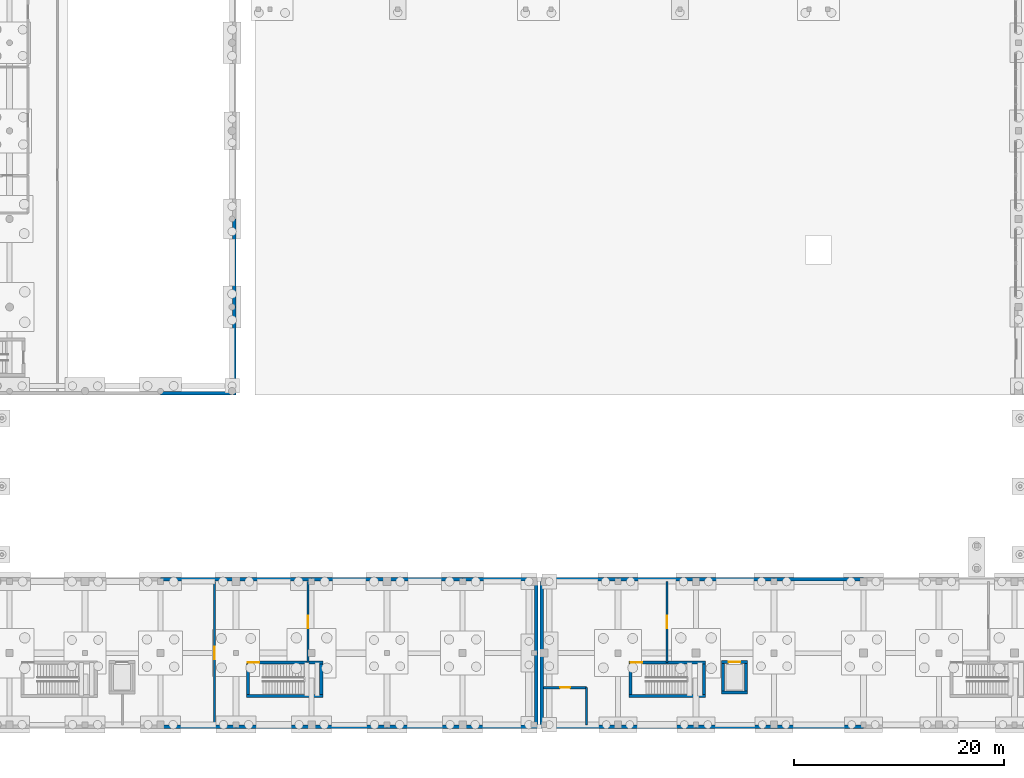
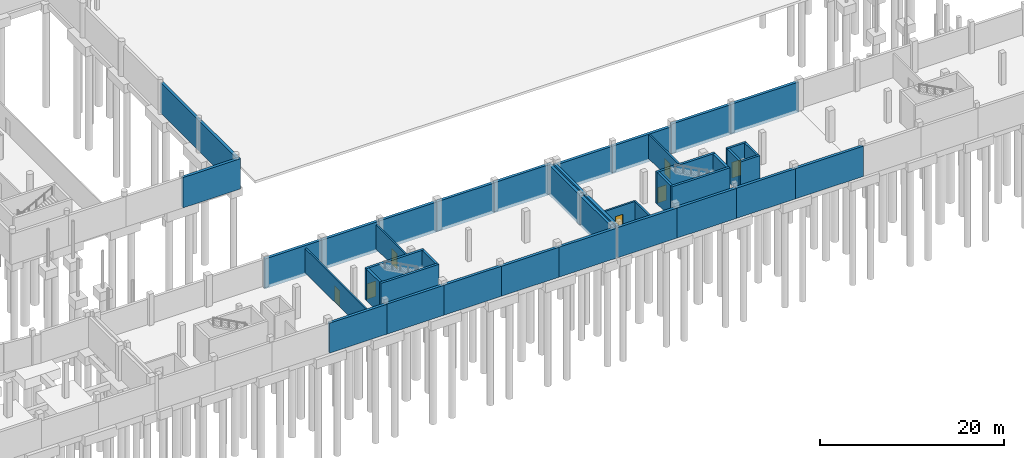
# One storey, part 27 of 41: 42 walls, 7 doors, 7 openings.
"""IFC4 building model written with IfcOpenShell, lengths in metres."""

import ifcopenshell
import ifcopenshell.guid

model = None  # the IFC model being written
_history = None  # IfcOwnerHistory: only IFC2X3 demands one
_inside = {}  # id of a spatial element -> (the spatial element, [elements in it])
_under = {}  # id of a project, library or spatial element -> (it, [spatial elements below it])
_declared = {}  # id of a project -> (the project, [libraries it declares])
_typed = {}  # id of a type object -> (the type object, [elements of that type])
_made_of = {}  # id of a material, layer set ... -> (it, [elements and type objects made of it])


def new_model(schema):
    """Start an empty IFC model of exactly this schema.

    Asked for "IFC4X3", IfcOpenShell would pick the latest addendum, in which some entities
    have other attributes; the version numbers below select the first issue.
    IFC2X3 requires an IfcOwnerHistory on every rooted entity: one is made here for all.
    """
    global model, _history
    if schema == "IFC4X3":
        model = ifcopenshell.file(schema_version=(4, 3, 0, 0))
    else:
        model = ifcopenshell.file(schema=schema)
    _inside.clear()
    _under.clear()
    _declared.clear()
    _typed.clear()
    _made_of.clear()
    _history = None
    if model.schema == "IFC2X3":
        org = make("IfcOrganization", Name="unknown")
        user = make(
            "IfcPersonAndOrganization",
            ThePerson=make("IfcPerson", FamilyName="unknown"),
            TheOrganization=org,
        )
        app = make(
            "IfcApplication",
            ApplicationDeveloper=org,
            Version="unknown",
            ApplicationFullName="unknown",
            ApplicationIdentifier="unknown",
        )
        _history = make(
            "IfcOwnerHistory",
            OwningUser=user,
            OwningApplication=app,
            ChangeAction="ADDED",
            CreationDate=0,
        )
    return model


def make(cls, **values):
    """One entity of the class cls with the attributes given. An attribute that is None is left unset."""
    return model.create_entity(
        cls, **{name: value for name, value in values.items() if value is not None}
    )


def rooted(cls, **values):
    """An entity with a GlobalId (a new one), such as an element, a storey or a relation."""
    return make(cls, GlobalId=ifcopenshell.guid.new(), OwnerHistory=_history, **values)


def si_unit(unit_type, name, prefix=None):
    """IfcSIUnit, for example si_unit("LENGTHUNIT", "METRE", prefix="MILLI")."""
    return make("IfcSIUnit", UnitType=unit_type, Prefix=prefix, Name=name)


def assignment(units):
    """IfcUnitAssignment: the units of a project."""
    return None if units is None else make("IfcUnitAssignment", Units=units)


def point(xyz):
    """IfcCartesianPoint."""
    return None if xyz is None else make("IfcCartesianPoint", Coordinates=xyz)


def direction(xyz):
    """IfcDirection."""
    return None if xyz is None else make("IfcDirection", DirectionRatios=xyz)


def frame(location, z_axis=None, x_axis=None):
    """IfcAxis2Placement3D, a coordinate frame: its origin and axes. An axis left out is left unset."""
    return make(
        "IfcAxis2Placement3D",
        Location=point(location),
        Axis=direction(z_axis),
        RefDirection=direction(x_axis),
    )


def frame_2d(location, x_axis=None):
    """IfcAxis2Placement2D, a coordinate frame in the plane: its origin and x axis."""
    return make(
        "IfcAxis2Placement2D", Location=point(location), RefDirection=direction(x_axis)
    )


def origin():
    """The frame at (0, 0, 0) with its axes left unset."""
    return frame((0.0, 0.0, 0.0))


def place(relative_to, where):
    """IfcLocalPlacement: puts the frame where relative to a parent placement (None: the world)."""
    return make(
        "IfcLocalPlacement", PlacementRelTo=relative_to, RelativePlacement=where
    )


def context(
    kind, dimensions, precision=None, world=None, true_north=None, identifier=None
):
    """IfcGeometricRepresentationContext, for example the 3D "Model" context."""
    return make(
        "IfcGeometricRepresentationContext",
        ContextIdentifier=identifier,
        ContextType=kind,
        CoordinateSpaceDimension=dimensions,
        Precision=precision,
        WorldCoordinateSystem=world,
        TrueNorth=true_north,
    )


def subcontext(parent, identifier, kind, view, scale=None):
    """IfcGeometricRepresentationSubContext, for example "Body" below "Model"."""
    return make(
        "IfcGeometricRepresentationSubContext",
        ContextIdentifier=identifier,
        ContextType=kind,
        ParentContext=parent,
        TargetScale=scale,
        TargetView=view,
    )


def project(units=None, contexts=None):
    """IfcProject with its units and contexts."""
    return rooted(
        "IfcProject",
        Name="project",
        RepresentationContexts=contexts,
        UnitsInContext=assignment(units),
    )


def spatial(cls, under=None, at=None, **own):
    """A site, building, storey or space (cls), placed at a placement, below another one or the project."""
    s = rooted(cls, ObjectPlacement=at, **own)
    if under is not None:
        _under.setdefault(under.id(), (under, []))[1].append(s)
    return s


def profile(cls, at=None, kind="AREA", **sizes):
    """A parametric profile (cls). Its sizes go by their IFC names, for example OverallWidth=200.0."""
    return make(cls, ProfileType=kind, Position=at, **sizes)


def rectangle(**sizes):
    """IfcRectangleProfileDef."""
    return profile("IfcRectangleProfileDef", **sizes)


def extrude(swept, where, along, depth):
    """IfcExtrudedAreaSolid: the profile swept, set in the frame where, extruded along a direction by depth."""
    return make(
        "IfcExtrudedAreaSolid",
        SweptArea=swept,
        Position=where,
        ExtrudedDirection=direction(along),
        Depth=depth,
    )


def shape(context_of_items, identifier, shape_type, items):
    """IfcShapeRepresentation: the items that make up one representation, for example the "Body"."""
    return make(
        "IfcShapeRepresentation",
        ContextOfItems=context_of_items,
        RepresentationIdentifier=identifier,
        RepresentationType=shape_type,
        Items=items,
    )


def material(Name=None, Category=None):
    """IfcMaterial."""
    return make("IfcMaterial", Name=Name, Category=Category)


def layer(
    of_material, thickness, ventilated=None, Name=None, Category=None, Priority=None
):
    """IfcMaterialLayer: one layer of a wall or slab, of a material (None: an air gap)."""
    return make(
        "IfcMaterialLayer",
        Material=of_material,
        LayerThickness=thickness,
        IsVentilated=ventilated,
        Name=Name,
        Category=Category,
        Priority=Priority,
    )


def layer_set(layers, Name=None):
    """IfcMaterialLayerSet."""
    return make("IfcMaterialLayerSet", MaterialLayers=layers, LayerSetName=Name)


def made_of(thing, what):
    """Note that an element or type object is made of a material, layer set ...; save() writes the relation."""
    if what is not None:
        _made_of.setdefault(what.id(), (what, []))[1].append(thing)
    return thing


def type_object(cls, material=None, **own):
    """A type object (cls), such as IfcWallType, which elements share."""
    return made_of(rooted(cls, **own), material)


def element(
    cls,
    number,
    at=None,
    inside=None,
    cuts=None,
    type_object=None,
    material=None,
    context=None,
    identifier="Body",
    shape_type=None,
    held_by="IfcProductDefinitionShape",
    body=None,
    shapes=None,
    **own,
):
    """One element of the class cls, such as IfcWall. Its Tag is "e" and its number.

    at: its placement. inside: the storey or other place that contains it. cuts: it is an
    opening in that element (IfcRelVoidsElement). A single representation is given by context,
    identifier, shape_type and body (its items); several are given by shapes. held_by: the class
    of the entity that holds the representations. save() writes the other relations.
    """
    e = rooted(cls, Tag="e%d" % number, ObjectPlacement=at, **own)
    if body is not None:
        shapes = [shape(context, identifier, shape_type, body)]
    if shapes is not None:
        e.Representation = make(held_by, Representations=shapes)
    if inside is not None:
        _inside.setdefault(inside.id(), (inside, []))[1].append(e)
    if cuts is not None:
        rooted(
            "IfcRelVoidsElement", RelatingBuildingElement=cuts, RelatedOpeningElement=e
        )
    if type_object is not None:
        _typed.setdefault(type_object.id(), (type_object, []))[1].append(e)
    return made_of(e, material)


def fill(opening, filler):
    """IfcRelFillsElement: the door or window that sits in an opening."""
    return rooted(
        "IfcRelFillsElement",
        RelatingOpeningElement=opening,
        RelatedBuildingElement=filler,
    )


def aggregate(whole, parts):
    """IfcRelAggregates: a whole, such as a stair, and the parts it consists of."""
    return rooted("IfcRelAggregates", RelatingObject=whole, RelatedObjects=parts)


def save(model, path):
    """Write the relations noted so far, then the file.

    IfcRelAggregates (storeys below a building ...), IfcRelContainedInSpatialStructure (elements
    in a storey), IfcRelDefinesByType, IfcRelAssociatesMaterial and IfcRelDeclares: one each for
    every whole, place, type object, material and project.
    """
    for whole, parts in _under.values():
        aggregate(whole, parts)
    for where, things in _inside.values():
        rooted(
            "IfcRelContainedInSpatialStructure",
            RelatedElements=things,
            RelatingStructure=where,
        )
    for kind, things in _typed.values():
        rooted("IfcRelDefinesByType", RelatedObjects=things, RelatingType=kind)
    for what, things in _made_of.values():
        rooted("IfcRelAssociatesMaterial", RelatedObjects=things, RelatingMaterial=what)
    for by, libraries in _declared.values():
        rooted("IfcRelDeclares", RelatingContext=by, RelatedDefinitions=libraries)
    model.write(path)


model = new_model("IFC4")

# Units and contexts
model_context = context("Model", 3, precision=1e-05, world=origin(), true_north=direction((0.0, 1.0)))
body_context = subcontext(model_context, "Body", "Model", "MODEL_VIEW")
ifc_project = project(units=[si_unit("LENGTHUNIT", "METRE"), si_unit("AREAUNIT", "SQUARE_METRE"), si_unit("VOLUMEUNIT", "CUBIC_METRE"), si_unit("PLANEANGLEUNIT", "RADIAN"), si_unit("MASSUNIT", "GRAM", prefix="KILO")], contexts=[model_context])

# Site, building, storey
site_placement = place(None, origin())
site = spatial("IfcSite", under=ifc_project, at=site_placement, CompositionType="ELEMENT")
building_placement = place(site_placement, origin())
building = spatial("IfcBuilding", under=site, at=building_placement, Name="Vardoun Plaza Health Centre", CompositionType="ELEMENT")
storey_placement = place(building_placement, frame((0.0, 0.0, -4.5)))
storey = spatial("IfcBuildingStorey", under=building, at=storey_placement, Name="B1", CompositionType="ELEMENT", Elevation=-4.5)

# Walls
ifc_material_1 = material(Name="Concrete C40/50", Category="concrete")
ifc_layer_1 = layer(ifc_material_1, 0.27001953125)
ifc_layer_set_1 = layer_set([ifc_layer_1], Name="Concrete C40/50")
wall_type_1 = type_object("IfcWallType", Name="SW-03", PredefinedType="SHEAR", material=ifc_layer_set_1)
wall_1_placement = place(storey_placement, frame((125.43505859375, 7.949951171875, 0.0), z_axis=(0.0, 0.0, 1.0), x_axis=(-1.0, 0.0, 0.0)))
element("IfcWall", 1, at=wall_1_placement, inside=storey, type_object=wall_type_1, Name="Lift LP-04 B1 Shaft Wall S", PredefinedType="SHEAR", context=body_context, shape_type="SweptSolid", body=[
    extrude(rectangle(XDim=2.469970703125, YDim=0.27001953125, at=frame_2d((1.23486328125, 0.0))), origin(), (0.0, 0.0, 1.0), 4.205078125),
])
wall_2_placement = place(storey_placement, frame((123.10009765625, 8.0849609375, 0.0), z_axis=(0.0, 0.0, 1.0), x_axis=(0.0, 1.0, 0.0)))
element("IfcWall", 2, at=wall_2_placement, inside=storey, type_object=wall_type_1, Name="Lift LP-04 B1 Shaft Wall W", PredefinedType="SHEAR", context=body_context, shape_type="SweptSolid", body=[
    extrude(rectangle(XDim=2.630126953125, YDim=0.27001953125, at=frame_2d((1.31494140625, 0.0))), origin(), (0.0, 0.0, 1.0), 4.205078125),
])

# Wall, opening, door
wall_3_placement = place(storey_placement, frame((122.965087890625, 10.85009765625, 0.0), z_axis=(0.0, 0.0, 1.0), x_axis=(1.0, 0.0, 0.0)))
wall_3 = element("IfcWall", 3, at=wall_3_placement, inside=storey, type_object=wall_type_1, Name="Lift LP-04 B1 Shaft Wall N", PredefinedType="SHEAR", context=body_context, shape_type="SweptSolid", body=[
    extrude(rectangle(XDim=2.469970703125, YDim=0.27001953125, at=frame_2d((1.23486328125, 0.0))), origin(), (0.0, 0.0, 1.0), 4.205078125),
])
opening_1_placement = place(wall_3_placement, frame((0.675048828125, 0.0, 0.0)))
opening_1 = element("IfcOpeningElement", 4, at=opening_1_placement, cuts=wall_3, Name="Opening LD-LP-04-B1", PredefinedType="OPENING", context=body_context, shape_type="SweptSolid", body=[
    extrude(rectangle(XDim=1.1201171875, YDim=2.10009765625, at=frame_2d((0.56005859375, 1.050048828125))), frame((0.0, 0.135009765625, 0.0), z_axis=(0.0, -1.0, 0.0), x_axis=(1.0, 0.0, 0.0)), (0.0, 0.0, 1.0), 0.27001953125),
])
ifc_material_2 = material(Name="Brushed Stainless Steel Grade 316L", Category="steel")
door_type_1 = type_object("IfcDoorType", Name="LD-01", OperationType="DOUBLE_DOOR_SLIDING", PredefinedType="DOOR", material=ifc_material_2)
door_1_placement = place(opening_1_placement, origin())
door_1 = element("IfcDoor", 5, at=door_1_placement, inside=storey, type_object=door_type_1, Name="Lift LP-04 B1 Sliding Landing Door", OperationType="DOUBLE_DOOR_SLIDING", OverallHeight=2.10009765625, OverallWidth=1.1201171875, PredefinedType="DOOR", context=body_context, shape_type="SweptSolid", body=[
    extrude(rectangle(XDim=1.1201171875, YDim=2.10009765625, at=frame_2d((0.56005859375, 1.050048828125))), frame((0.0, 0.02490234375, 0.0), z_axis=(0.0, -1.0, 0.0), x_axis=(1.0, 0.0, 0.0)), (0.0, 0.0, 1.0), 0.050048828125),
])
fill(opening_1, door_1)

# Walls
wall_4_placement = place(storey_placement, frame((125.300048828125, 10.715087890625, 0.0), z_axis=(0.0, 0.0, 1.0), x_axis=(0.0, -1.0, 0.0)))
element("IfcWall", 6, at=wall_4_placement, inside=storey, type_object=wall_type_1, Name="Lift LP-04 B1 Shaft Wall E", PredefinedType="SHEAR", context=body_context, shape_type="SweptSolid", body=[
    extrude(rectangle(XDim=2.630126953125, YDim=0.27001953125, at=frame_2d((1.31494140625, 0.0))), origin(), (0.0, 0.0, 1.0), 4.205078125),
])
ifc_material_3 = material(Name="Concrete C40/50", Category="concrete")
ifc_layer_2 = layer(ifc_material_3, 0.300048828125)
ifc_layer_set_2 = layer_set([ifc_layer_2], Name="Concrete C40/50")
wall_type_2 = type_object("IfcWallType", Name="SW-01", PredefinedType="SHEAR", material=ifc_layer_set_2)
wall_5_placement = place(storey_placement, frame((84.949951171875, 7.60009765625, 0.0), z_axis=(0.0, 0.0, 1.0), x_axis=(-1.0, 0.0, 0.0)))
element("IfcWall", 7, at=wall_5_placement, inside=storey, type_object=wall_type_2, Name="Core C7 B1 Shear Wall S", PredefinedType="SHEAR", context=body_context, shape_type="SweptSolid", body=[
    extrude(rectangle(XDim=7.300048828125, YDim=0.300048828125, at=frame_2d((3.64990234375, 0.0))), origin(), (0.0, 0.0, 1.0), 4.18505859375),
])
wall_6_placement = place(storey_placement, frame((77.800048828125, 7.75, 0.0), z_axis=(0.0, 0.0, 1.0), x_axis=(0.0, 1.0, 0.0)))
element("IfcWall", 8, at=wall_6_placement, inside=storey, type_object=wall_type_2, Name="Core C7 B1 Shear Wall W", PredefinedType="SHEAR", context=body_context, shape_type="SweptSolid", body=[
    extrude(rectangle(XDim=2.89990234375, YDim=0.300048828125, at=frame_2d((1.449951171875, 0.0))), origin(), (0.0, 0.0, 1.0), 4.18505859375),
])

# Wall, opening, door
wall_7_placement = place(storey_placement, frame((77.64990234375, 10.800048828125, 0.0), z_axis=(0.0, 0.0, 1.0), x_axis=(1.0, 0.0, 0.0)))
wall_7 = element("IfcWall", 9, at=wall_7_placement, inside=storey, type_object=wall_type_2, Name="Core C7 B1 Shear Wall N", PredefinedType="SHEAR", context=body_context, shape_type="SweptSolid", body=[
    extrude(rectangle(XDim=7.300048828125, YDim=0.300048828125, at=frame_2d((3.64990234375, 0.0))), origin(), (0.0, 0.0, 1.0), 4.18505859375),
])
opening_2_placement = place(wall_7_placement, frame((0.159912109375, 0.0, 0.0)))
opening_2 = element("IfcOpeningElement", 10, at=opening_2_placement, cuts=wall_7, Name="Opening SD-C7-B1", PredefinedType="OPENING", context=body_context, shape_type="SweptSolid", body=[
    extrude(rectangle(XDim=1.10009765625, YDim=2.050048828125, at=frame_2d((0.550048828125, 1.02490234375))), frame((0.0, 0.14990234375, 0.0), z_axis=(0.0, -1.0, 0.0), x_axis=(1.0, 0.0, 0.0)), (0.0, 0.0, 1.0), 0.300048828125),
])
ifc_material_4 = material(Name="Brushed Stainless Steel Grade 316L", Category="steel")
door_type_2 = type_object("IfcDoorType", Name="FD-01", OperationType="NOTDEFINED", PredefinedType="DOOR", material=ifc_material_4)
door_2_placement = place(opening_2_placement, origin())
door_2 = element("IfcDoor", 11, at=door_2_placement, inside=storey, type_object=door_type_2, Name="Stair C7 B1 Fire Door", OperationType="SINGLE_SWING_RIGHT", OverallHeight=2.050048828125, OverallWidth=1.10009765625, PredefinedType="DOOR", context=body_context, shape_type="SweptSolid", body=[
    extrude(rectangle(XDim=1.10009765625, YDim=2.050048828125, at=frame_2d((0.550048828125, 1.02490234375))), frame((0.0, 0.02490234375, 0.0), z_axis=(0.0, -1.0, 0.0), x_axis=(1.0, 0.0, 0.0)), (0.0, 0.0, 1.0), 0.050048828125),
])
fill(opening_2, door_2)

# Walls
wall_8_placement = place(storey_placement, frame((84.800048828125, 10.64990234375, 0.0), z_axis=(0.0, 0.0, 1.0), x_axis=(0.0, -1.0, 0.0)))
element("IfcWall", 12, at=wall_8_placement, inside=storey, type_object=wall_type_2, Name="Core C7 B1 Shear Wall E", PredefinedType="SHEAR", context=body_context, shape_type="SweptSolid", body=[
    extrude(rectangle(XDim=2.89990234375, YDim=0.300048828125, at=frame_2d((1.449951171875, 0.0))), origin(), (0.0, 0.0, 1.0), 4.18505859375),
])
wall_9_placement = place(storey_placement, frame((121.449951171875, 7.60009765625, 0.0), z_axis=(0.0, 0.0, 1.0), x_axis=(-1.0, 0.0, 0.0)))
element("IfcWall", 13, at=wall_9_placement, inside=storey, type_object=wall_type_2, Name="Core C8 B1 Shear Wall S", PredefinedType="SHEAR", context=body_context, shape_type="SweptSolid", body=[
    extrude(rectangle(XDim=7.300048828125, YDim=0.300048828125, at=frame_2d((3.64990234375, 0.0))), origin(), (0.0, 0.0, 1.0), 4.205078125),
])
wall_10_placement = place(storey_placement, frame((114.300048828125, 7.75, 0.0), z_axis=(0.0, 0.0, 1.0), x_axis=(0.0, 1.0, 0.0)))
element("IfcWall", 14, at=wall_10_placement, inside=storey, type_object=wall_type_2, Name="Core C8 B1 Shear Wall W", PredefinedType="SHEAR", context=body_context, shape_type="SweptSolid", body=[
    extrude(rectangle(XDim=2.89990234375, YDim=0.300048828125, at=frame_2d((1.449951171875, 0.0))), origin(), (0.0, 0.0, 1.0), 4.205078125),
])

# Wall, opening, door
wall_11_placement = place(storey_placement, frame((114.14990234375, 10.800048828125, 0.0), z_axis=(0.0, 0.0, 1.0), x_axis=(1.0, 0.0, 0.0)))
wall_11 = element("IfcWall", 15, at=wall_11_placement, inside=storey, type_object=wall_type_2, Name="Core C8 B1 Shear Wall N", PredefinedType="SHEAR", context=body_context, shape_type="SweptSolid", body=[
    extrude(rectangle(XDim=7.300048828125, YDim=0.300048828125, at=frame_2d((3.64990234375, 0.0))), origin(), (0.0, 0.0, 1.0), 4.205078125),
])
opening_3_placement = place(wall_11_placement, frame((0.159912109375, 0.0, 0.0)))
opening_3 = element("IfcOpeningElement", 16, at=opening_3_placement, cuts=wall_11, Name="Opening SD-C8-B1", PredefinedType="OPENING", context=body_context, shape_type="SweptSolid", body=[
    extrude(rectangle(XDim=1.10009765625, YDim=2.050048828125, at=frame_2d((0.550048828125, 1.02490234375))), frame((0.0, 0.14990234375, 0.0), z_axis=(0.0, -1.0, 0.0), x_axis=(1.0, 0.0, 0.0)), (0.0, 0.0, 1.0), 0.300048828125),
])
door_3_placement = place(opening_3_placement, origin())
door_3 = element("IfcDoor", 17, at=door_3_placement, inside=storey, type_object=door_type_2, Name="Stair C8 B1 Fire Door", OperationType="SINGLE_SWING_RIGHT", OverallHeight=2.050048828125, OverallWidth=1.10009765625, PredefinedType="DOOR", context=body_context, shape_type="SweptSolid", body=[
    extrude(rectangle(XDim=1.10009765625, YDim=2.050048828125, at=frame_2d((0.550048828125, 1.02490234375))), frame((0.0, 0.02490234375, 0.0), z_axis=(0.0, -1.0, 0.0), x_axis=(1.0, 0.0, 0.0)), (0.0, 0.0, 1.0), 0.050048828125),
])
fill(opening_3, door_3)

# Walls
wall_12_placement = place(storey_placement, frame((121.300048828125, 10.64990234375, 0.0), z_axis=(0.0, 0.0, 1.0), x_axis=(0.0, -1.0, 0.0)))
element("IfcWall", 18, at=wall_12_placement, inside=storey, type_object=wall_type_2, Name="Core C8 B1 Shear Wall E", PredefinedType="SHEAR", context=body_context, shape_type="SweptSolid", body=[
    extrude(rectangle(XDim=2.89990234375, YDim=0.300048828125, at=frame_2d((1.449951171875, 0.0))), origin(), (0.0, 0.0, 1.0), 4.205078125),
])
ifc_material_5 = material(Name="Pale Limestone Concrete C35/45", Category="masonry")
ifc_layer_3 = layer(ifc_material_5, 0.344970703125)
ifc_layer_set_3 = layer_set([ifc_layer_3], Name="Pale Limestone Concrete C35/45")
wall_type_3 = type_object("IfcWallType", Name="EW-01", PredefinedType="SOLIDWALL", material=ifc_layer_set_3)
wall_13_placement = place(storey_placement, frame((76.507568359375, 53.10009765625, -0.419921875), z_axis=(0.0, 0.0, 1.0), x_axis=(0.0, -1.0, 0.0)))
element("IfcWall", 19, at=wall_13_placement, inside=storey, type_object=wall_type_3, Name="V1 B1 Exterior Wall EW-V1-008", PredefinedType="SOLIDWALL", context=body_context, shape_type="SweptSolid", body=[
    extrude(rectangle(XDim=8.400146484375, YDim=0.344970703125, at=frame_2d((4.2001953125, 0.0))), origin(), (0.0, 0.0, 1.0), 4.044921875),
])
wall_14_placement = place(storey_placement, frame((76.507568359375, 44.699951171875, -0.419921875), z_axis=(0.0, 0.0, 1.0), x_axis=(0.0, -1.0, 0.0)))
element("IfcWall", 20, at=wall_14_placement, inside=storey, type_object=wall_type_3, Name="V1 B1 Exterior Wall EW-V1-009", PredefinedType="SOLIDWALL", context=body_context, shape_type="SweptSolid", body=[
    extrude(rectangle(XDim=8.054931640625, YDim=0.344970703125, at=frame_2d((4.02734375, 0.0))), origin(), (0.0, 0.0, 1.0), 4.044921875),
])
wall_15_placement = place(storey_placement, frame((76.679931640625, 36.472412109375, -0.419921875), z_axis=(0.0, 0.0, 1.0), x_axis=(-1.0, 0.0, 0.0)))
element("IfcWall", 21, at=wall_15_placement, inside=storey, type_object=wall_type_3, Name="V1 B1 Exterior Wall EW-V1-010", PredefinedType="SOLIDWALL", context=body_context, shape_type="SweptSolid", body=[
    extrude(rectangle(XDim=7.199951171875, YDim=0.344970703125, at=frame_2d((3.60009765625, 0.0))), origin(), (0.0, 0.0, 1.0), 4.02490234375),
])
for number, where, z_axis, x_axis, name in (
    (22, (69.47998046875, 18.7275390625, -0.419921875), (0.0, 0.0, 1.0), (1.0, 0.0, 0.0), "V4 B1 Exterior Wall EW-V4-307"),
    (23, (76.679931640625, 18.7275390625, -0.419921875), (0.0, 0.0, 1.0), (1.0, 0.0, 0.0), "V4 B1 Exterior Wall EW-V4-308"),
):
    element("IfcWall", number, at=place(storey_placement, frame(where, z_axis=z_axis, x_axis=x_axis)), inside=storey, type_object=wall_type_3, Name=name, PredefinedType="SOLIDWALL", context=body_context, shape_type="SweptSolid", body=[
        extrude(rectangle(XDim=7.199951171875, YDim=0.344970703125, at=frame_2d((3.60009765625, 0.0))), origin(), (0.0, 0.0, 1.0), 3.969970703125),
    ])
wall_16_placement = place(storey_placement, frame((83.8798828125, 18.7275390625, -0.419921875), z_axis=(0.0, 0.0, 1.0), x_axis=(1.0, 0.0, 0.0)))
element("IfcWall", 24, at=wall_16_placement, inside=storey, type_object=wall_type_3, Name="V4 B1 Exterior Wall EW-V4-309", PredefinedType="SOLIDWALL", context=body_context, shape_type="SweptSolid", body=[
    extrude(rectangle(XDim=7.2001953125, YDim=0.344970703125, at=frame_2d((3.60009765625, 0.0))), origin(), (0.0, 0.0, 1.0), 3.989990234375),
])
wall_17_placement = place(storey_placement, frame((91.080078125, 18.7275390625, -0.419921875), z_axis=(0.0, 0.0, 1.0), x_axis=(1.0, 0.0, 0.0)))
element("IfcWall", 25, at=wall_17_placement, inside=storey, type_object=wall_type_3, Name="V4 B1 Exterior Wall EW-V4-310", PredefinedType="SOLIDWALL", context=body_context, shape_type="SweptSolid", body=[
    extrude(rectangle(XDim=7.199951171875, YDim=0.344970703125, at=frame_2d((3.60009765625, 0.0))), origin(), (0.0, 0.0, 1.0), 3.989990234375),
])
wall_18_placement = place(storey_placement, frame((98.280029296875, 18.7275390625, -0.419921875), z_axis=(0.0, 0.0, 1.0), x_axis=(1.0, 0.0, 0.0)))
element("IfcWall", 26, at=wall_18_placement, inside=storey, type_object=wall_type_3, Name="V4 B1 Exterior Wall EW-V4-311", PredefinedType="SOLIDWALL", context=body_context, shape_type="SweptSolid", body=[
    extrude(rectangle(XDim=7.199951171875, YDim=0.344970703125, at=frame_2d((3.60009765625, 0.0))), origin(), (0.0, 0.0, 1.0), 4.010009765625),
])
for number, where, z_axis, x_axis, name in (
    (27, (105.3076171875, 18.554931640625, -0.419921875), (0.0, 0.0, 1.0), (0.0, -1.0, 0.0), "V4 B1 Exterior Wall EW-V4-312"),
    (28, (105.3076171875, 11.699951171875, -0.419921875), (0.0, 0.0, 1.0), (0.0, -1.0, 0.0), "V4 B1 Exterior Wall EW-V4-313"),
):
    element("IfcWall", number, at=place(storey_placement, frame(where, z_axis=z_axis, x_axis=x_axis)), inside=storey, type_object=wall_type_3, Name=name, PredefinedType="SOLIDWALL", context=body_context, shape_type="SweptSolid", body=[
        extrude(rectangle(XDim=6.85498046875, YDim=0.344970703125, at=frame_2d((3.427490234375, 0.0))), origin(), (0.0, 0.0, 1.0), 4.010009765625),
    ])
for number, where, z_axis, x_axis, name in (
    (29, (105.47998046875, 4.672607421875, -0.419921875), (0.0, 0.0, 1.0), (-1.0, 0.0, 0.0), "V4 B1 Exterior Wall EW-V4-314"),
    (30, (98.280029296875, 4.672607421875, -0.419921875), (0.0, 0.0, 1.0), (-1.0, 0.0, 0.0), "V4 B1 Exterior Wall EW-V4-315"),
):
    element("IfcWall", number, at=place(storey_placement, frame(where, z_axis=z_axis, x_axis=x_axis)), inside=storey, type_object=wall_type_3, Name=name, PredefinedType="SOLIDWALL", context=body_context, shape_type="SweptSolid", body=[
        extrude(rectangle(XDim=7.199951171875, YDim=0.344970703125, at=frame_2d((3.60009765625, 0.0))), origin(), (0.0, 0.0, 1.0), 3.969970703125),
    ])
wall_19_placement = place(storey_placement, frame((91.080078125, 4.672607421875, -0.419921875), z_axis=(0.0, 0.0, 1.0), x_axis=(-1.0, 0.0, 0.0)))
element("IfcWall", 31, at=wall_19_placement, inside=storey, type_object=wall_type_3, Name="V4 B1 Exterior Wall EW-V4-316", PredefinedType="SOLIDWALL", context=body_context, shape_type="SweptSolid", body=[
    extrude(rectangle(XDim=7.2001953125, YDim=0.344970703125, at=frame_2d((3.60009765625, 0.0))), origin(), (0.0, 0.0, 1.0), 3.989990234375),
])
wall_20_placement = place(storey_placement, frame((83.8798828125, 4.672607421875, -0.419921875), z_axis=(0.0, 0.0, 1.0), x_axis=(-1.0, 0.0, 0.0)))
element("IfcWall", 32, at=wall_20_placement, inside=storey, type_object=wall_type_3, Name="V4 B1 Exterior Wall EW-V4-317", PredefinedType="SOLIDWALL", context=body_context, shape_type="SweptSolid", body=[
    extrude(rectangle(XDim=7.199951171875, YDim=0.344970703125, at=frame_2d((3.60009765625, 0.0))), origin(), (0.0, 0.0, 1.0), 3.989990234375),
])
wall_21_placement = place(storey_placement, frame((76.679931640625, 4.672607421875, -0.419921875), z_axis=(0.0, 0.0, 1.0), x_axis=(-1.0, 0.0, 0.0)))
element("IfcWall", 33, at=wall_21_placement, inside=storey, type_object=wall_type_3, Name="V4 B1 Exterior Wall EW-V4-318", PredefinedType="SOLIDWALL", context=body_context, shape_type="SweptSolid", body=[
    extrude(rectangle(XDim=7.199951171875, YDim=0.344970703125, at=frame_2d((3.60009765625, 0.0))), origin(), (0.0, 0.0, 1.0), 3.969970703125),
])
wall_22_placement = place(storey_placement, frame((105.659912109375, 18.7275390625, -0.419921875), z_axis=(0.0, 0.0, 1.0), x_axis=(1.0, 0.0, 0.0)))
element("IfcWall", 34, at=wall_22_placement, inside=storey, type_object=wall_type_3, Name="V5 B1 Exterior Wall EW-V5-348", PredefinedType="SOLIDWALL", context=body_context, shape_type="SweptSolid", body=[
    extrude(rectangle(XDim=7.440185546875, YDim=0.344970703125, at=frame_2d((3.72021484375, 0.0))), origin(), (0.0, 0.0, 1.0), 3.659912109375),
])
wall_23_placement = place(storey_placement, frame((113.10009765625, 18.7275390625, -0.419921875), z_axis=(0.0, 0.0, 1.0), x_axis=(1.0, 0.0, 0.0)))
element("IfcWall", 35, at=wall_23_placement, inside=storey, type_object=wall_type_3, Name="V5 B1 Exterior Wall EW-V5-349", PredefinedType="SOLIDWALL", context=body_context, shape_type="SweptSolid", body=[
    extrude(rectangle(XDim=7.43994140625, YDim=0.344970703125, at=frame_2d((3.719970703125, 0.0))), origin(), (0.0, 0.0, 1.0), 3.659912109375),
])
wall_24_placement = place(storey_placement, frame((120.5400390625, 18.7275390625, -0.419921875), z_axis=(0.0, 0.0, 1.0), x_axis=(1.0, 0.0, 0.0)))
element("IfcWall", 36, at=wall_24_placement, inside=storey, type_object=wall_type_3, Name="V5 B1 Exterior Wall EW-V5-350", PredefinedType="SOLIDWALL", context=body_context, shape_type="SweptSolid", body=[
    extrude(rectangle(XDim=7.43994140625, YDim=0.344970703125, at=frame_2d((3.719970703125, 0.0))), origin(), (0.0, 0.0, 1.0), 3.989990234375),
])
for number, where, z_axis, x_axis, name in (
    (37, (127.97998046875, 18.7275390625, -0.419921875), (0.0, 0.0, 1.0), (1.0, 0.0, 0.0), "V5 B1 Exterior Wall EW-V5-351"),
    (38, (136.5, 4.672607421875, -0.419921875), (0.0, 0.0, 1.0), (-1.0, 0.0, 0.0), "V5 B1 Exterior Wall EW-V5-362"),
):
    element("IfcWall", number, at=place(storey_placement, frame(where, z_axis=z_axis, x_axis=x_axis)), inside=storey, type_object=wall_type_3, Name=name, PredefinedType="SOLIDWALL", context=body_context, shape_type="SweptSolid", body=[
        extrude(rectangle(XDim=8.52001953125, YDim=0.344970703125, at=frame_2d((4.260009765625, 0.0))), origin(), (0.0, 0.0, 1.0), 4.010009765625),
    ])
wall_25_placement = place(storey_placement, frame((127.97998046875, 4.672607421875, -0.419921875), z_axis=(0.0, 0.0, 1.0), x_axis=(-1.0, 0.0, 0.0)))
element("IfcWall", 39, at=wall_25_placement, inside=storey, type_object=wall_type_3, Name="V5 B1 Exterior Wall EW-V5-363", PredefinedType="SOLIDWALL", context=body_context, shape_type="SweptSolid", body=[
    extrude(rectangle(XDim=7.43994140625, YDim=0.344970703125, at=frame_2d((3.719970703125, 0.0))), origin(), (0.0, 0.0, 1.0), 4.010009765625),
])
wall_26_placement = place(storey_placement, frame((120.5400390625, 4.672607421875, -0.419921875), z_axis=(0.0, 0.0, 1.0), x_axis=(-1.0, 0.0, 0.0)))
element("IfcWall", 40, at=wall_26_placement, inside=storey, type_object=wall_type_3, Name="V5 B1 Exterior Wall EW-V5-364", PredefinedType="SOLIDWALL", context=body_context, shape_type="SweptSolid", body=[
    extrude(rectangle(XDim=7.43994140625, YDim=0.344970703125, at=frame_2d((3.719970703125, 0.0))), origin(), (0.0, 0.0, 1.0), 3.989990234375),
])
wall_27_placement = place(storey_placement, frame((113.10009765625, 4.672607421875, -0.419921875), z_axis=(0.0, 0.0, 1.0), x_axis=(-1.0, 0.0, 0.0)))
element("IfcWall", 41, at=wall_27_placement, inside=storey, type_object=wall_type_3, Name="V5 B1 Exterior Wall EW-V5-365", PredefinedType="SOLIDWALL", context=body_context, shape_type="SweptSolid", body=[
    extrude(rectangle(XDim=7.440185546875, YDim=0.344970703125, at=frame_2d((3.72021484375, 0.0))), origin(), (0.0, 0.0, 1.0), 3.989990234375),
])
for number, where, z_axis, x_axis, name in (
    (42, (105.83251953125, 4.844970703125, -0.419921875), (0.0, 0.0, 1.0), (0.0, 1.0, 0.0), "V5 B1 Exterior Wall EW-V5-366"),
    (43, (105.83251953125, 11.699951171875, -0.419921875), (0.0, 0.0, 1.0), (0.0, 1.0, 0.0), "V5 B1 Exterior Wall EW-V5-367"),
):
    element("IfcWall", number, at=place(storey_placement, frame(where, z_axis=z_axis, x_axis=x_axis)), inside=storey, type_object=wall_type_3, Name=name, PredefinedType="SOLIDWALL", context=body_context, shape_type="SweptSolid", body=[
        extrude(rectangle(XDim=6.85498046875, YDim=0.344970703125, at=frame_2d((3.427490234375, 0.0))), origin(), (0.0, 0.0, 1.0), 3.989990234375),
    ])

# Wall, opening, door
ifc_material_6 = material(Name="Concrete C35/45", Category="concrete")
ifc_layer_4 = layer(ifc_material_6, 0.199951171875)
ifc_layer_set_4 = layer_set([ifc_layer_4], Name="Concrete C35/45")
wall_type_4 = type_object("IfcWallType", Name="IW-01", PredefinedType="SOLIDWALL", material=ifc_layer_set_4)
wall_28_placement = place(storey_placement, frame((74.60498046875, 18.550048828125, 0.0), z_axis=(0.0, 0.0, 1.0), x_axis=(0.0, -1.0, 0.0)))
wall_28 = element("IfcWall", 44, at=wall_28_placement, inside=storey, type_object=wall_type_4, Name="Chiller and Cooling Plant Room Partition Wall", PredefinedType="SOLIDWALL", context=body_context, shape_type="SweptSolid", body=[
    extrude(rectangle(XDim=13.699951171875, YDim=0.199951171875, at=frame_2d((6.85009765625, 0.0))), origin(), (0.0, 0.0, 1.0), 3.205078125),
])
opening_4_placement = place(wall_28_placement, frame((6.25, 0.0, 0.0)))
opening_4 = element("IfcOpeningElement", 45, at=opening_4_placement, cuts=wall_28, Name="Opening D-B1-113", PredefinedType="OPENING", context=body_context, shape_type="SweptSolid", body=[
    extrude(rectangle(XDim=1.199951171875, YDim=2.050048828125, at=frame_2d((0.60009765625, 1.02490234375))), frame((0.0, 0.10009765625, 0.0), z_axis=(0.0, -1.0, 0.0), x_axis=(1.0, 0.0, 0.0)), (0.0, 0.0, 1.0), 0.199951171875),
])
ifc_material_7 = material(Name="Antimicrobial Acoustic Timber and Steel S275JR", Category="steel")
door_type_3 = type_object("IfcDoorType", Name="FD-04", OperationType="NOTDEFINED", PredefinedType="DOOR", material=ifc_material_7)
door_4_placement = place(opening_4_placement, origin())
door_4 = element("IfcDoor", 46, at=door_4_placement, inside=storey, type_object=door_type_3, Name="Chiller and Cooling Plant Room Door D-B1-113", OperationType="SINGLE_SWING_LEFT", OverallHeight=2.050048828125, OverallWidth=1.199951171875, PredefinedType="DOOR", context=body_context, shape_type="SweptSolid", body=[
    extrude(rectangle(XDim=1.199951171875, YDim=2.050048828125, at=frame_2d((0.60009765625, 1.02490234375))), frame((0.0, 0.02490234375, 0.0), z_axis=(0.0, -1.0, 0.0), x_axis=(1.0, 0.0, 0.0)), (0.0, 0.0, 1.0), 0.050048828125),
])
fill(opening_4, door_4)

wall_29_placement = place(storey_placement, frame((83.530029296875, 18.550048828125, 0.0), z_axis=(0.0, 0.0, 1.0), x_axis=(0.0, -1.0, 0.0)))
wall_29 = element("IfcWall", 47, at=wall_29_placement, inside=storey, type_object=wall_type_4, Name="Imaging Quench and UPS Plant Partition Wall", PredefinedType="SOLIDWALL", context=body_context, shape_type="SweptSolid", body=[
    extrude(rectangle(XDim=7.75, YDim=0.199951171875, at=frame_2d((3.875, 0.0))), origin(), (0.0, 0.0, 1.0), 3.205078125),
])
opening_5_placement = place(wall_29_placement, frame((3.27490234375, 0.0, 0.0)))
opening_5 = element("IfcOpeningElement", 48, at=opening_5_placement, cuts=wall_29, Name="Opening D-B1-114", PredefinedType="OPENING", context=body_context, shape_type="SweptSolid", body=[
    extrude(rectangle(XDim=1.199951171875, YDim=2.050048828125, at=frame_2d((0.60009765625, 1.02490234375))), frame((0.0, 0.10009765625, 0.0), z_axis=(0.0, -1.0, 0.0), x_axis=(1.0, 0.0, 0.0)), (0.0, 0.0, 1.0), 0.199951171875),
])
door_5_placement = place(opening_5_placement, origin())
door_5 = element("IfcDoor", 49, at=door_5_placement, inside=storey, type_object=door_type_3, Name="Imaging Quench and UPS Plant Door D-B1-114", OperationType="SINGLE_SWING_RIGHT", OverallHeight=2.050048828125, OverallWidth=1.199951171875, PredefinedType="DOOR", context=body_context, shape_type="SweptSolid", body=[
    extrude(rectangle(XDim=1.199951171875, YDim=2.050048828125, at=frame_2d((0.60009765625, 1.02490234375))), frame((0.0, 0.02490234375, 0.0), z_axis=(0.0, -1.0, 0.0), x_axis=(1.0, 0.0, 0.0)), (0.0, 0.0, 1.0), 0.050048828125),
])
fill(opening_5, door_5)

wall_30_placement = place(storey_placement, frame((117.760009765625, 18.550048828125, 0.0), z_axis=(0.0, 0.0, 1.0), x_axis=(0.0, -1.0, 0.0)))
wall_30 = element("IfcWall", 50, at=wall_30_placement, inside=storey, type_object=wall_type_4, Name="Emergency Generator Plant Room Partition Wall", PredefinedType="SOLIDWALL", context=body_context, shape_type="SweptSolid", body=[
    extrude(rectangle(XDim=7.75, YDim=0.199951171875, at=frame_2d((3.875, 0.0))), origin(), (0.0, 0.0, 1.0), 3.22509765625),
])
opening_6_placement = place(wall_30_placement, frame((3.27490234375, 0.0, 0.0)))
opening_6 = element("IfcOpeningElement", 51, at=opening_6_placement, cuts=wall_30, Name="Opening D-B1-133", PredefinedType="OPENING", context=body_context, shape_type="SweptSolid", body=[
    extrude(rectangle(XDim=1.199951171875, YDim=2.050048828125, at=frame_2d((0.60009765625, 1.02490234375))), frame((0.0, 0.10009765625, 0.0), z_axis=(0.0, -1.0, 0.0), x_axis=(1.0, 0.0, 0.0)), (0.0, 0.0, 1.0), 0.199951171875),
])
door_6_placement = place(opening_6_placement, origin())
door_6 = element("IfcDoor", 52, at=door_6_placement, inside=storey, type_object=door_type_3, Name="Emergency Generator Plant Room Door D-B1-133", OperationType="SINGLE_SWING_LEFT", OverallHeight=2.050048828125, OverallWidth=1.199951171875, PredefinedType="DOOR", context=body_context, shape_type="SweptSolid", body=[
    extrude(rectangle(XDim=1.199951171875, YDim=2.050048828125, at=frame_2d((0.60009765625, 1.02490234375))), frame((0.0, 0.02490234375, 0.0), z_axis=(0.0, -1.0, 0.0), x_axis=(1.0, 0.0, 0.0)), (0.0, 0.0, 1.0), 0.050048828125),
])
fill(opening_6, door_6)

ifc_material_8 = material(Name="Moisture-Resistant Plumbing Chase", Category="steel")
ifc_layer_5 = layer(ifc_material_8, 0.215087890625)
ifc_layer_set_5 = layer_set([ifc_layer_5], Name="Moisture-Resistant Plumbing Chase")
wall_type_5 = type_object("IfcWallType", Name="IW-06", PredefinedType="PLUMBINGWALL", material=ifc_layer_set_5)
wall_31_placement = place(storey_placement, frame((106.010009765625, 8.40087890625, 0.0), z_axis=(0.0, 0.0, 1.0), x_axis=(1.0, 0.0, 0.0)))
wall_31 = element("IfcWall", 53, at=wall_31_placement, inside=storey, type_object=wall_type_5, Name="Accessible WC B1-V5 Partition Wall", PredefinedType="PLUMBINGWALL", context=body_context, shape_type="SweptSolid", body=[
    extrude(rectangle(XDim=4.08349609375, YDim=0.215087890625, at=frame_2d((2.041748046875, 0.0))), origin(), (0.0, 0.0, 1.0), 3.22509765625),
])
opening_7_placement = place(wall_31_placement, frame((1.56689453125, 0.0, 0.0)))
opening_7 = element("IfcOpeningElement", 54, at=opening_7_placement, cuts=wall_31, Name="Opening D-B1-131", PredefinedType="OPENING", context=body_context, shape_type="SweptSolid", body=[
    extrude(rectangle(XDim=0.949951171875, YDim=2.050048828125, at=frame_2d((0.47509765625, 1.02490234375))), frame((0.0, 0.107421875, 0.0), z_axis=(0.0, -1.0, 0.0), x_axis=(1.0, 0.0, 0.0)), (0.0, 0.0, 1.0), 0.215087890625),
])
ifc_material_9 = material(Name="Antimicrobial Acoustic Timber and Steel S275JR", Category="steel")
door_type_4 = type_object("IfcDoorType", Name="CD-07", OperationType="NOTDEFINED", PredefinedType="DOOR", material=ifc_material_9)
door_7_placement = place(opening_7_placement, origin())
door_7 = element("IfcDoor", 55, at=door_7_placement, inside=storey, type_object=door_type_4, Name="Accessible WC B1-V5 Door D-B1-131", OperationType="SINGLE_SWING_LEFT", OverallHeight=2.050048828125, OverallWidth=0.949951171875, PredefinedType="DOOR", context=body_context, shape_type="SweptSolid", body=[
    extrude(rectangle(XDim=0.949951171875, YDim=2.050048828125, at=frame_2d((0.47509765625, 1.02490234375))), frame((0.0, 0.02490234375, 0.0), z_axis=(0.0, -1.0, 0.0), x_axis=(1.0, 0.0, 0.0)), (0.0, 0.0, 1.0), 0.050048828125),
])
fill(opening_7, door_7)

# Wall
wall_32_placement = place(storey_placement, frame((110.093505859375, 8.40087890625, 0.0), z_axis=(0.0, 0.0, 1.0), x_axis=(0.0, -1.0, 0.0)))
element("IfcWall", 56, at=wall_32_placement, inside=storey, type_object=wall_type_5, Name="Accessible WC B1-V5 Enclosure Partition", PredefinedType="PLUMBINGWALL", context=body_context, shape_type="SweptSolid", body=[
    extrude(rectangle(XDim=3.55078125, YDim=0.215087890625, at=frame_2d((1.775390625, 0.0))), origin(), (0.0, 0.0, 1.0), 3.22509765625),
])

save(model, "model.ifc")
